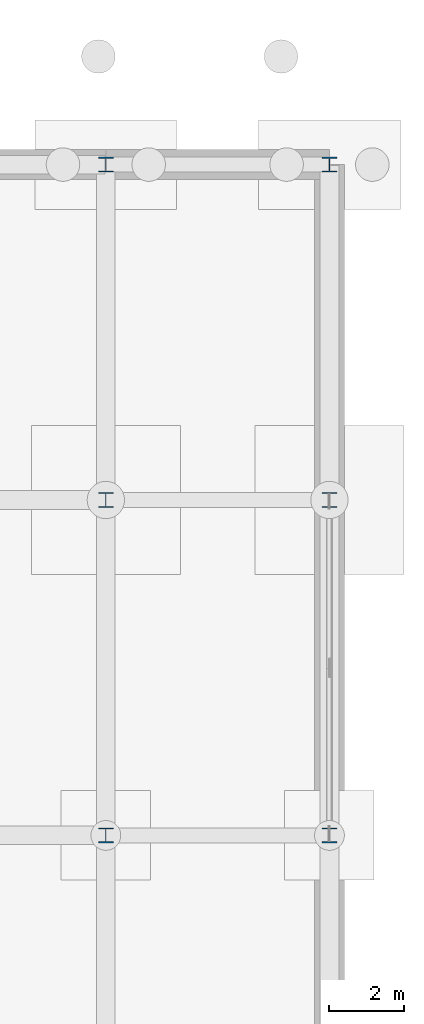
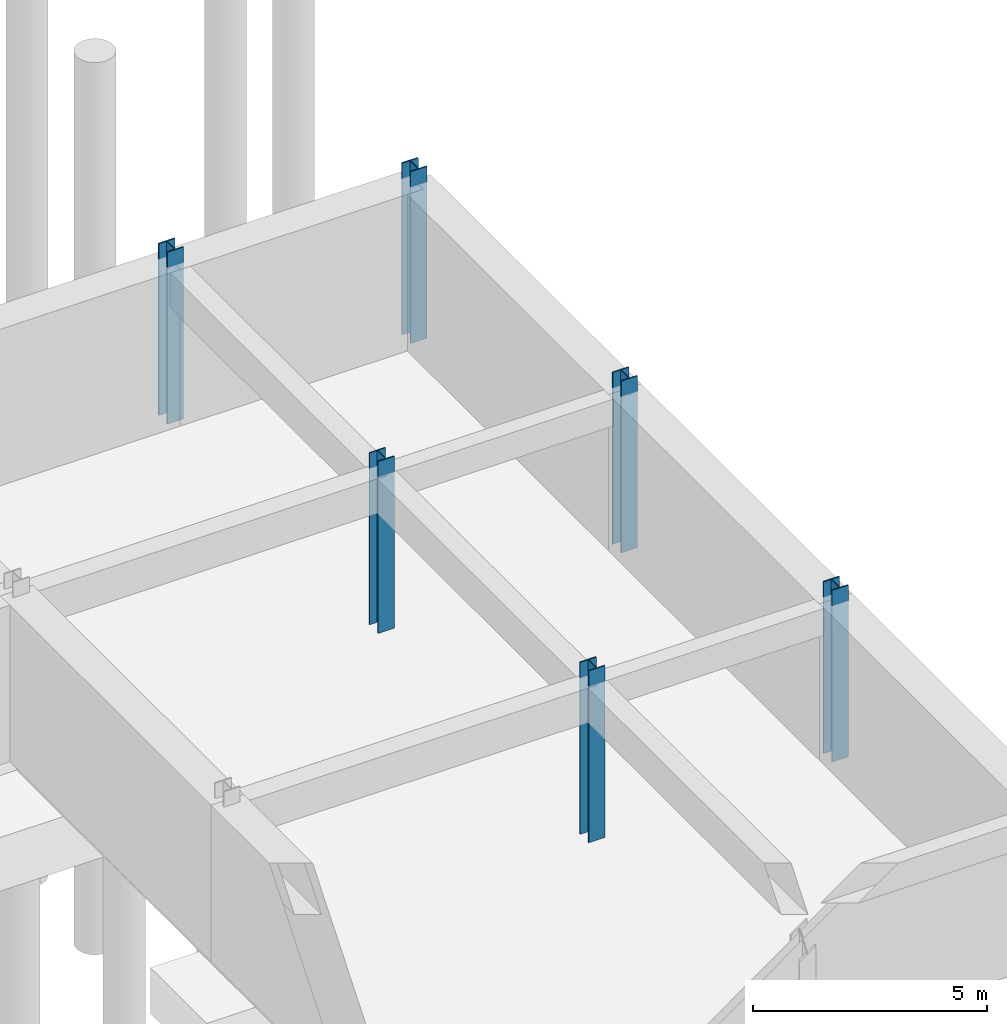
# One storey, part 17 of 41: 6 columns.
"""IFC4 building model written with IfcOpenShell, lengths in metres."""

from ifc_helpers import new_model, si_unit, direction, frame, origin, origin_2d, place, context, subcontext, project, spatial, i_section, extrude, material, material_profile, profile_set, type_object, element, save


model = new_model("IFC4")

# Units and contexts
model_context = context("Model", 3, precision=1e-05, world=origin(), true_north=direction((0.0, 1.0)))
body_context = subcontext(model_context, "Body", "Model", "MODEL_VIEW")
ifc_project = project(units=[si_unit("LENGTHUNIT", "METRE"), si_unit("AREAUNIT", "SQUARE_METRE"), si_unit("VOLUMEUNIT", "CUBIC_METRE"), si_unit("PLANEANGLEUNIT", "RADIAN"), si_unit("MASSUNIT", "GRAM", prefix="KILO")], contexts=[model_context])

# Site, building, storey
site_placement = place(None, origin())
site = spatial("IfcSite", under=ifc_project, at=site_placement, CompositionType="ELEMENT")
building_placement = place(site_placement, origin())
building = spatial("IfcBuilding", under=site, at=building_placement, Name="Palais des Congres Ocreval", CompositionType="ELEMENT")
storey_placement = place(building_placement, frame((0.0, 0.0, -8.9599609375)))
storey = spatial("IfcBuildingStorey", under=building, at=storey_placement, Name="B2", CompositionType="ELEMENT", Elevation=-8.9599609375)

# Columns
ifc_material = material(Name="Steel S355", Category="steel")
ifc_material_profile = material_profile(ifc_material, i_section(OverallWidth=0.40087890625, OverallDepth=0.39892578125, WebThickness=0.0185546875, FlangeThickness=0.030029296875, at=origin_2d()), Name="HD 400x314")
ifc_profile_set = profile_set([ifc_material_profile], Name="Steel S355")
column_type = type_object("IfcColumnType", Name="Column HD 400x314 Steel S355", PredefinedType="COLUMN", material=ifc_profile_set)
for number, where, z_axis, x_axis, name in (
    (1, (162.0, 27.0, 0.0), (0.0, 0.0, 1.0), (1.0, 0.0, 0.0), "Column C04 B2"),
    (2, (162.0, 36.0, 0.0), (0.0, 0.0, 1.0), (1.0, 0.0, 0.0), "Column C04 B2"),
    (3, (162.0, 45.0, 0.0), (0.0, 0.0, 1.0), (1.0, 0.0, 0.0), "Column C04 B2"),
    (4, (168.0, 27.0, 0.0), (0.0, 0.0, 1.0), (1.0, 0.0, 0.0), "Column C04 B2"),
    (5, (168.0, 36.0, 0.0), (0.0, 0.0, 1.0), (1.0, 0.0, 0.0), "Column C04 B2"),
    (6, (168.0, 45.0, 0.0), (0.0, 0.0, 1.0), (1.0, 0.0, 0.0), "Column C04 B2"),
):
    element("IfcColumn", number, at=place(storey_placement, frame(where, z_axis=z_axis, x_axis=x_axis)), inside=storey, type_object=column_type, Name=name, PredefinedType="COLUMN", context=body_context, shape_type="SweptSolid", body=[
        extrude(i_section(OverallWidth=0.40087890625, OverallDepth=0.39892578125, WebThickness=0.0185546875, FlangeThickness=0.030029296875, at=origin_2d()), origin(), (0.0, 0.0, 1.0), 4.47998046875),
    ])

save(model, "model.ifc")
